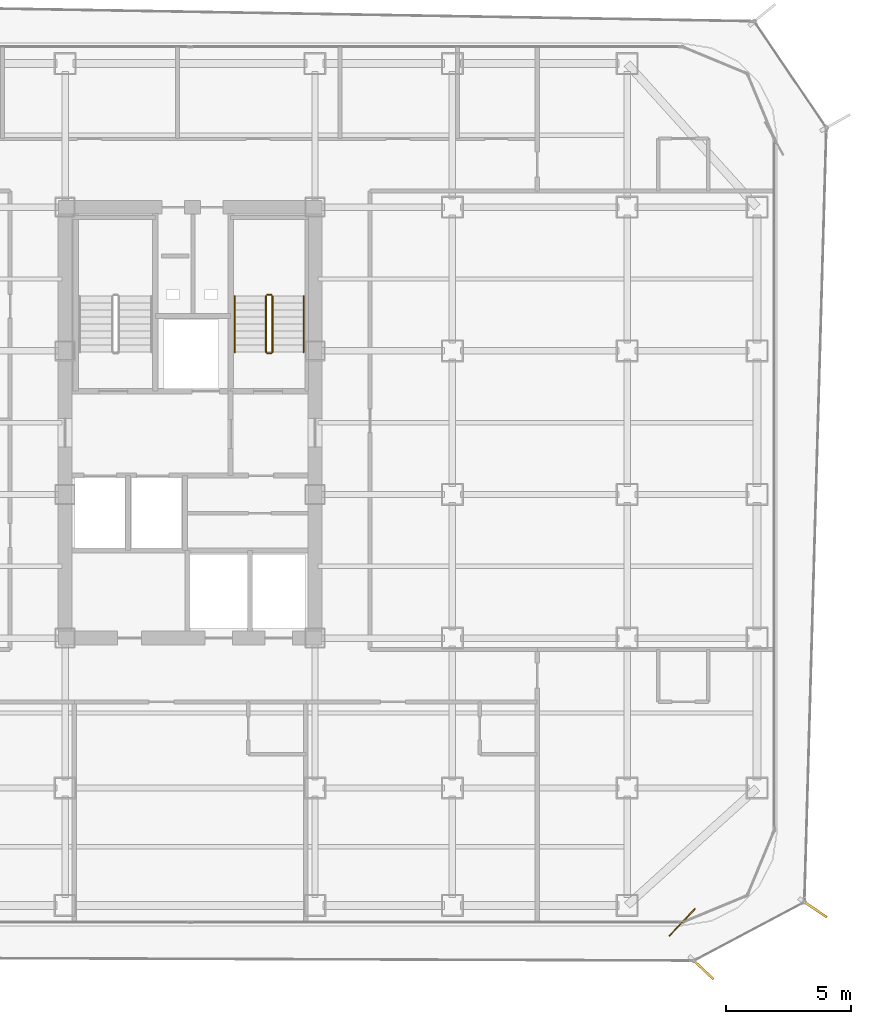
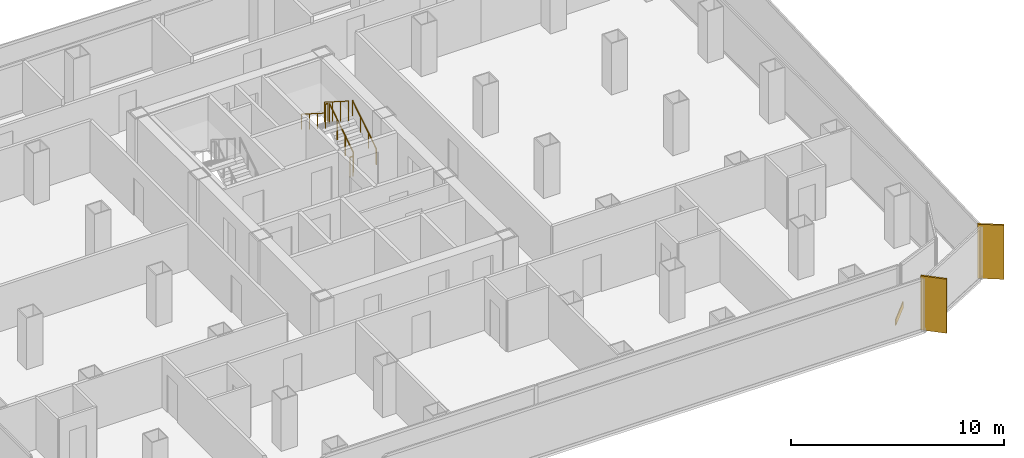
# One storey, part 20 of 21: 6 railings, 2 shading devices, 1 covering.
"""IFC4 building model written with IfcOpenShell, lengths in metres."""

from ifc_helpers import new_model, si_unit, direction, frame, origin, origin_2d, place, context, subcontext, project, spatial, rectangle, circle, extrude, source, transform, mapped, material, layer, layer_set, type_object, element, save


model = new_model("IFC4")

# Units and contexts
model_context = context("Model", 3, precision=1e-05, world=origin(), true_north=direction((0.0, 1.0)))
body_context = subcontext(model_context, "Body", "Model", "MODEL_VIEW")
ifc_project = project(units=[si_unit("LENGTHUNIT", "METRE"), si_unit("AREAUNIT", "SQUARE_METRE"), si_unit("VOLUMEUNIT", "CUBIC_METRE"), si_unit("PLANEANGLEUNIT", "RADIAN"), si_unit("MASSUNIT", "GRAM", prefix="KILO")], contexts=[model_context])

# Site, building, storey
site_placement = place(None, origin())
site = spatial("IfcSite", under=ifc_project, at=site_placement, CompositionType="ELEMENT")
building_placement = place(site_placement, origin())
building = spatial("IfcBuilding", under=site, at=building_placement, Name="Kolveth Station Tower", CompositionType="ELEMENT")
storey_placement = place(building_placement, frame((0.0, 0.0, 124.699951171875)))
storey = spatial("IfcBuildingStorey", under=building, at=storey_placement, Name="L34", CompositionType="ELEMENT", Elevation=124.699951171875)

# Railings
ifc_material_1 = material(Name="Painted Steel S355 balustrade", Category="steel")
railing_type_1 = type_object("IfcRailingType", Name="Guard_GR2", PredefinedType="BALUSTRADE", material=ifc_material_1)
railing_1_placement = place(storey_placement, frame((26.800048828125, 22.949951171875, 0.177734375)))
element("IfcRailing", 1, at=railing_1_placement, inside=storey, type_object=railing_type_1, Name="L34 ST2 stair guard 1", PredefinedType="BALUSTRADE", context=body_context, shape_type="SweptSolid", body=[
    extrude(circle(Radius=0.02392578125, at=origin_2d()), frame((0.0, 0.0, 1.1259765625), z_axis=(0.0, 0.84418770128, 0.536047689118), x_axis=(-1.0, 0.0, 0.0)), (0.0, 0.0, 1.0), 2.6533203125),
    extrude(circle(Radius=0.02099609375, at=origin_2d()), origin(), (0.0, 0.0, 1.0), 1.101806640625),
    extrude(circle(Radius=0.02099609375, at=origin_2d()), frame((0.0, 0.74658203125, 0.47412109375)), (0.0, 0.0, 1.0), 1.101806640625),
    extrude(circle(Radius=0.02099609375, at=origin_2d()), frame((0.0, 1.493408203125, 0.9482421875)), (0.0, 0.0, 1.0), 1.101806640625),
    extrude(circle(Radius=0.02099609375, at=origin_2d()), frame((0.0, 2.239990234375, 1.42236328125)), (0.0, 0.0, 1.0), 1.101806640625),
])
railing_2_placement = place(storey_placement, frame((26.75, 25.239990234375, 1.60009765625)))
element("IfcRailing", 2, at=railing_2_placement, inside=storey, type_object=railing_type_1, Name="L34 ST2 stair guard 2", PredefinedType="BALUSTRADE", context=body_context, shape_type="SweptSolid", body=[
    extrude(circle(Radius=0.02392578125, at=origin_2d()), frame((0.0, 0.0, 1.1259765625), z_axis=(-1.0, 0.0, 0.0), x_axis=(0.0, -1.0, 0.0)), (0.0, 0.0, 1.0), 0.159912109375),
    extrude(circle(Radius=0.02099609375, at=origin_2d()), origin(), (0.0, 0.0, 1.0), 1.101806640625),
    extrude(circle(Radius=0.02099609375, at=origin_2d()), frame((-0.159912109375, 0.0, 0.0)), (0.0, 0.0, 1.0), 1.101806640625),
])
railing_3_placement = place(storey_placement, frame((26.5400390625, 25.18994140625, 1.77783203125)))
element("IfcRailing", 3, at=railing_3_placement, inside=storey, type_object=railing_type_1, Name="L34 ST2 stair guard 3", PredefinedType="BALUSTRADE", context=body_context, shape_type="SweptSolid", body=[
    extrude(circle(Radius=0.02392578125, at=origin_2d()), frame((0.0, 0.0, 1.1259765625), z_axis=(0.0, -0.8442293374, 0.53598211339), x_axis=(1.0, 0.0, 0.0)), (0.0, 0.0, 1.0), 2.6533203125),
    extrude(circle(Radius=0.02099609375, at=origin_2d()), origin(), (0.0, 0.0, 1.0), 1.101806640625),
    extrude(circle(Radius=0.02099609375, at=origin_2d()), frame((0.0, -0.74658203125, 0.47412109375)), (0.0, 0.0, 1.0), 1.101806640625),
    extrude(circle(Radius=0.02099609375, at=origin_2d()), frame((0.0, -1.493408203125, 0.947998046875)), (0.0, 0.0, 1.0), 1.101806640625),
    extrude(circle(Radius=0.02099609375, at=origin_2d()), frame((0.0, -2.239990234375, 1.422119140625)), (0.0, 0.0, 1.0), 1.101806640625),
])
railing_4_placement = place(storey_placement, frame((26.75, 22.89990234375, 0.0)))
element("IfcRailing", 4, at=railing_4_placement, inside=storey, type_object=railing_type_1, Name="L34 ST2 stair guard 4", PredefinedType="BALUSTRADE", context=body_context, shape_type="SweptSolid", body=[
    extrude(circle(Radius=0.02392578125, at=origin_2d()), frame((0.0, 0.0, 1.1259765625), z_axis=(-1.0, 0.0, 0.0), x_axis=(0.0, -1.0, 0.0)), (0.0, 0.0, 1.0), 0.159912109375),
    extrude(circle(Radius=0.02099609375, at=origin_2d()), origin(), (0.0, 0.0, 1.0), 1.101806640625),
    extrude(circle(Radius=0.02099609375, at=origin_2d()), frame((-0.159912109375, 0.0, 0.0)), (0.0, 0.0, 1.0), 1.101806640625),
])
ifc_material_2 = material(Name="Brushed stainless steel", Category="steel")
railing_type_2 = type_object("IfcRailingType", Name="Handrail_HR1", PredefinedType="HANDRAIL", material=ifc_material_2)
railing_5_placement = place(storey_placement, frame((28.050048828125, 22.949951171875, 0.177734375)))
element("IfcRailing", 5, at=railing_5_placement, inside=storey, type_object=railing_type_2, Name="L34 ST2 stair handrail 1", PredefinedType="HANDRAIL", context=body_context, shape_type="SweptSolid", body=[
    extrude(circle(Radius=0.02392578125, at=origin_2d()), frame((0.0, 0.0, 0.8759765625), z_axis=(0.0, 0.84418770128, 0.536047689118), x_axis=(-1.0, 0.0, 0.0)), (0.0, 0.0, 1.0), 2.6533203125),
    extrude(circle(Radius=0.02099609375, at=origin_2d()), origin(), (0.0, 0.0, 1.0), 0.851806640625),
    extrude(circle(Radius=0.02099609375, at=origin_2d()), frame((0.0, 0.74658203125, 0.47412109375)), (0.0, 0.0, 1.0), 0.851806640625),
    extrude(circle(Radius=0.02099609375, at=origin_2d()), frame((0.0, 1.493408203125, 0.9482421875)), (0.0, 0.0, 1.0), 0.851806640625),
    extrude(circle(Radius=0.02099609375, at=origin_2d()), frame((0.0, 2.239990234375, 1.42236328125)), (0.0, 0.0, 1.0), 0.851806640625),
])
railing_6_placement = place(storey_placement, frame((25.2900390625, 25.18994140625, 1.77783203125)))
element("IfcRailing", 6, at=railing_6_placement, inside=storey, type_object=railing_type_2, Name="L34 ST2 stair handrail 2", PredefinedType="HANDRAIL", context=body_context, shape_type="SweptSolid", body=[
    extrude(circle(Radius=0.02392578125, at=origin_2d()), frame((0.0, 0.0, 0.8759765625), z_axis=(0.0, -0.8442293374, 0.53598211339), x_axis=(1.0, 0.0, 0.0)), (0.0, 0.0, 1.0), 2.6533203125),
    extrude(circle(Radius=0.02099609375, at=origin_2d()), origin(), (0.0, 0.0, 1.0), 0.851806640625),
    extrude(circle(Radius=0.02099609375, at=origin_2d()), frame((0.0, -0.74658203125, 0.47412109375)), (0.0, 0.0, 1.0), 0.851806640625),
    extrude(circle(Radius=0.02099609375, at=origin_2d()), frame((0.0, -1.493408203125, 0.947998046875)), (0.0, 0.0, 1.0), 0.851806640625),
    extrude(circle(Radius=0.02099609375, at=origin_2d()), frame((0.0, -2.239990234375, 1.422119140625)), (0.0, 0.0, 1.0), 0.851806640625),
])

# Shading devices
ifc_material_3 = material(Name="Black anodized aluminium 6063-T6", Category="aluminium")
shading_device_type = type_object("IfcShadingDeviceType", Name="FIN_VF1", PredefinedType="USERDEFINED", material=ifc_material_3)
shared_shape_1 = source(origin(), body_context, "Body", "SweptSolid", [
    extrude(rectangle(XDim=1.25, YDim=0.090087890625, at=origin_2d()), origin(), (0.0, 0.0, 1.0), 3.10009765625),
])
for number, where, z_axis, x_axis, name in (
    (7, (44.0, -1.72412109375, 0.0), (0.0, 0.0, 1.0), (0.726814465487, -0.686833846544, 0.0), "L34 Dark-Aluminium Solar Fin 1"),
    (8, (48.469970703125, 0.680908203125, 0.0), (0.0, 0.0, 1.0), (0.827080574275, -0.562083377852, 0.0), "L34 Dark-Aluminium Solar Fin 2"),
):
    element("IfcShadingDevice", number, at=place(storey_placement, frame(where, z_axis=z_axis, x_axis=x_axis)), inside=storey, type_object=shading_device_type, Name=name, ObjectType="FIN", PredefinedType="USERDEFINED", context=body_context, shape_type="MappedRepresentation", body=[
        mapped(shared_shape_1, transform((0.0, 0.0, 0.0), x_axis=(1.0, 0.0, 0.0), y_axis=(0.0, 1.0, 0.0), z_axis=(0.0, 0.0, 1.0), scale=1.0)),
    ])

# Covering
ifc_material_4 = material(Name="Charcoal anodized aluminium spandrel cladding", Category="aluminium")
ifc_layer = layer(ifc_material_4, 0.044921875)
ifc_layer_set = layer_set([ifc_layer], Name="Charcoal anodized aluminium spandrel cladding")
covering_type = type_object("IfcCoveringType", Name="Clad_CD1", PredefinedType="CLADDING", material=ifc_layer_set)
shared_shape_2 = source(origin(), body_context, "Body", "SweptSolid", [
    extrude(rectangle(XDim=1.5, YDim=0.044921875, at=origin_2d()), origin(), (0.0, 0.0, 1.0), 0.360107421875),
])
covering_placement = place(storey_placement, frame((43.199951171875, 0.1201171875, 0.0), z_axis=(0.0, 0.0, 1.0), x_axis=(0.686833846544, 0.726814465487, 0.0)))
element("IfcCovering", 9, at=covering_placement, inside=storey, type_object=covering_type, Name="L34 Spandrel Edge Cladding 1", PredefinedType="CLADDING", context=body_context, shape_type="MappedRepresentation", body=[
    mapped(shared_shape_2, transform((0.0, 0.0, 0.0), x_axis=(1.0, 0.0, 0.0), y_axis=(0.0, 1.0, 0.0), z_axis=(0.0, 0.0, 1.0), scale=1.0)),
])

save(model, "model.ifc")
